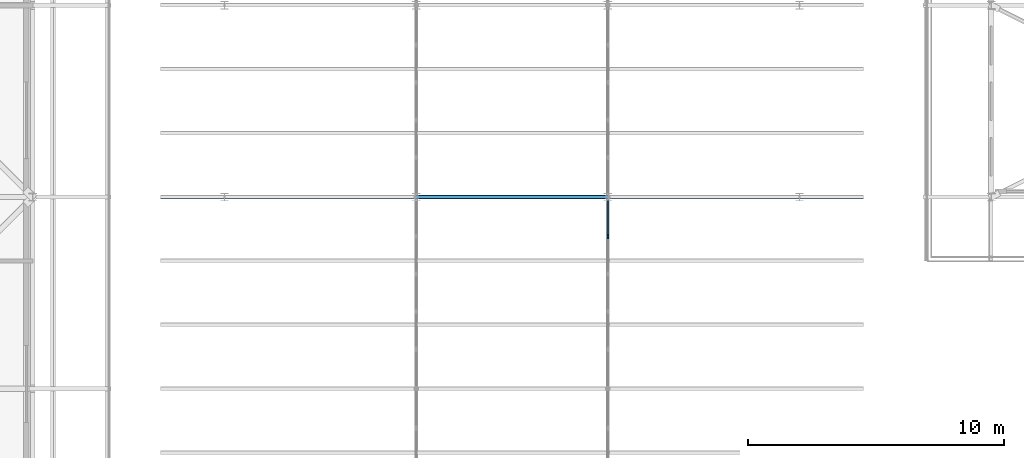
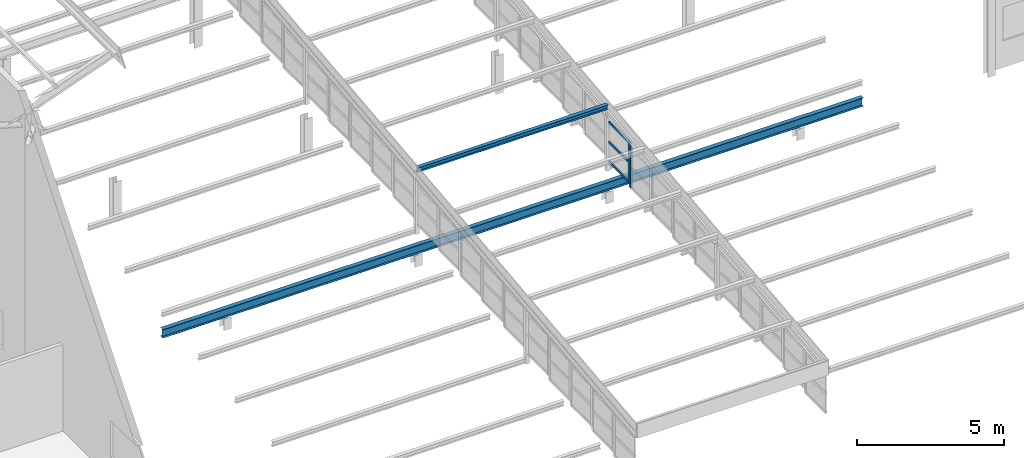
# One storey, part 55 of 483: 6 members, 1 beam, 2 elements without a shape of their own.
"""IFC4 building model written with IfcOpenShell, lengths in metres."""

from ifc_helpers import new_model, si_unit, direction, frame, origin, origin_2d, place, context, subcontext, project, spatial, rectangle, i_section, extrude, material, material_profile, profile_set, type_object, element, aggregate, save


model = new_model("IFC4")

# Units and contexts
model_context = context("Model", 3, precision=1e-05, world=origin(), true_north=direction((0.0, 1.0)))
body_context = subcontext(model_context, "Body", "Model", "MODEL_VIEW")
ifc_project = project(units=[si_unit("LENGTHUNIT", "METRE"), si_unit("AREAUNIT", "SQUARE_METRE"), si_unit("VOLUMEUNIT", "CUBIC_METRE"), si_unit("PLANEANGLEUNIT", "RADIAN"), si_unit("MASSUNIT", "GRAM", prefix="KILO")], contexts=[model_context])

# Site, building, storey
site_placement = place(None, origin())
site = spatial("IfcSite", under=ifc_project, at=site_placement, CompositionType="ELEMENT")
building_placement = place(site_placement, origin())
building = spatial("IfcBuilding", under=site, at=building_placement, Name="Parallax Yard Mobility Hub", CompositionType="ELEMENT")
storey_placement = place(building_placement, frame((0.0, 0.0, 13.199951171875)))
storey = spatial("IfcBuildingStorey", under=building, at=storey_placement, Name="L04", CompositionType="ELEMENT", Elevation=13.199951171875)

# Curtain wall, member
ifc_material_1 = material(Name="Thermally broken aluminium curtain wall system", Category="aluminium")
curtain_wall_type = type_object("IfcCurtainWallType", Name="Clerestory glazing run 60 x 120 frame", PredefinedType="NOTDEFINED", material=ifc_material_1)
curtain_wall_1_placement = place(storey_placement, origin())
curtain_wall_1 = element("IfcCurtainWall", 1, at=curtain_wall_1_placement, inside=storey, type_object=curtain_wall_type, Name="Clerestory glazing run Bicycle and shared-mobility hall roof step 2 bay 2 level L02", PredefinedType="NOTDEFINED")
ifc_material_2 = material(Name="Extruded aluminium", Category="aluminium")
ifc_material_profile_1 = material_profile(ifc_material_2, rectangle(XDim=0.06005859375, YDim=0.1201171875, at=origin_2d()), Name="Mullion 60 x 120")
ifc_profile_set_1 = profile_set([ifc_material_profile_1], Name="Extruded aluminium")
member_type_1 = type_object("IfcMemberType", Name="Mullion 60 x 120", PredefinedType="MULLION", material=ifc_profile_set_1)
member_1_placement = place(storey_placement, frame((165.0, 20.92431640625, 1.511474609375), z_axis=(0.0, 0.0, 1.0), x_axis=(-1.0, 0.0, 0.0)))
member_1 = element("IfcMember", 2, at=member_1_placement, type_object=member_type_1, Name="CW4 mullion 2", PredefinedType="MULLION", context=body_context, shape_type="SweptSolid", body=[
    extrude(rectangle(XDim=0.06005859375, YDim=0.1201171875, at=origin_2d()), origin(), (0.0, 0.0, 1.0), 1.693359375),
])
aggregate(curtain_wall_1, [member_1])

curtain_wall_2_placement = place(storey_placement, origin())
curtain_wall_2 = element("IfcCurtainWall", 3, at=curtain_wall_2_placement, inside=storey, type_object=curtain_wall_type, Name="Clerestory glazing run Bicycle and shared-mobility hall roof step 2 bay 2 level L02", PredefinedType="NOTDEFINED")
member_2_placement = place(storey_placement, frame((165.0, 20.984375, 1.6748046875), z_axis=(0.0, 0.0, 1.0), x_axis=(-1.0, 0.0, 0.0)))
member_2 = element("IfcMember", 4, at=member_2_placement, type_object=member_type_1, Name="CW4 mullion 1", PredefinedType="MULLION", context=body_context, shape_type="SweptSolid", body=[
    extrude(rectangle(XDim=0.06005859375, YDim=0.1201171875, at=origin_2d()), origin(), (0.0, 0.0, 1.0), 1.696533203125),
])

# Beam
ifc_material_3 = material(Name="Steel ASTM A992", Category="steel")
ifc_material_profile_2 = material_profile(ifc_material_3, i_section(OverallWidth=0.1708984375, OverallDepth=0.35498046875, WebThickness=0.007080078125, FlangeThickness=0.01171875, at=origin_2d()), Name="W360x51")
ifc_profile_set_2 = profile_set([ifc_material_profile_2], Name="Steel ASTM A992")
beam_type = type_object("IfcBeamType", Name="Roof girder W360x51", PredefinedType="BEAM", material=ifc_profile_set_2)
beam_placement = place(storey_placement, frame((147.5, 22.5, 0.644287109375), z_axis=(1.0, 0.0, 0.0), x_axis=(0.0, 1.0, 0.0)))
element("IfcBeam", 5, at=beam_placement, inside=storey, type_object=beam_type, Name="Roof girder at y 22.5", PredefinedType="BEAM", context=body_context, shape_type="SweptSolid", body=[
    extrude(i_section(OverallWidth=0.1708984375, OverallDepth=0.35498046875, WebThickness=0.007080078125, FlangeThickness=0.01171875, at=origin_2d()), origin(), (0.0, 0.0, 1.0), 27.5),
])

# Member
ifc_material_profile_3 = material_profile(ifc_material_3, i_section(OverallWidth=0.133056640625, OverallDepth=0.20703125, WebThickness=0.005859375, FlangeThickness=0.00830078125, at=origin_2d()), Name="W200x27")
ifc_profile_set_3 = profile_set([ifc_material_profile_3], Name="Steel ASTM A992")
member_type_2 = type_object("IfcMemberType", Name="Roof purlin W200x27", PredefinedType="PURLIN", material=ifc_profile_set_3)
member_3_placement = place(storey_placement, frame((157.5, 22.511474609375, 3.91943359375), z_axis=(1.0, 0.0, 0.0), x_axis=(0.0, 0.993883718765, 0.110431669255)))
element("IfcMember", 6, at=member_3_placement, inside=storey, type_object=member_type_2, Name="Monitor purlin at y 22.5", PredefinedType="PURLIN", context=body_context, shape_type="SweptSolid", body=[
    extrude(i_section(OverallWidth=0.133056640625, OverallDepth=0.20703125, WebThickness=0.005859375, FlangeThickness=0.00830078125, at=origin_2d()), origin(), (0.0, 0.0, 1.0), 7.5),
])

ifc_material_profile_4 = material_profile(ifc_material_2, rectangle(XDim=0.06005859375, YDim=0.10009765625, at=origin_2d()), Name="Transom 60 x 100")
ifc_profile_set_4 = profile_set([ifc_material_profile_4], Name="Extruded aluminium")
member_type_3 = type_object("IfcMemberType", Name="Transom 60 x 100", PredefinedType="USERDEFINED", material=ifc_profile_set_4)
member_4_placement = place(storey_placement, frame((165.0, 21.014404296875, 1.704833984375), z_axis=(0.0, 1.0, 0.0), x_axis=(-1.0, 0.0, 0.0)))
member_4 = element("IfcMember", 7, at=member_4_placement, type_object=member_type_3, Name="CW4 transom 1.1", ObjectType="TRANSOM", PredefinedType="USERDEFINED", context=body_context, shape_type="SweptSolid", body=[
    extrude(rectangle(XDim=0.06005859375, YDim=0.10009765625, at=origin_2d()), origin(), (0.0, 0.0, 1.0), 1.349365234375),
])

member_5_placement = place(storey_placement, frame((165.0, 21.014404296875, 2.523193359375), z_axis=(0.0, 1.0, 0.0), x_axis=(-1.0, 0.0, 0.0)))
member_5 = element("IfcMember", 8, at=member_5_placement, type_object=member_type_3, Name="CW4 transom 1.2", ObjectType="TRANSOM", PredefinedType="USERDEFINED", context=body_context, shape_type="SweptSolid", body=[
    extrude(rectangle(XDim=0.06005859375, YDim=0.10009765625, at=origin_2d()), origin(), (0.0, 0.0, 1.0), 1.349365234375),
])

member_6_placement = place(storey_placement, frame((165.0, 21.014404296875, 3.341552734375), z_axis=(0.0, 1.0, 0.0), x_axis=(-1.0, 0.0, 0.0)))
member_6 = element("IfcMember", 9, at=member_6_placement, type_object=member_type_3, Name="CW4 transom 1.3", ObjectType="TRANSOM", PredefinedType="USERDEFINED", context=body_context, shape_type="SweptSolid", body=[
    extrude(rectangle(XDim=0.06005859375, YDim=0.10009765625, at=origin_2d()), origin(), (0.0, 0.0, 1.0), 1.349365234375),
])

aggregate(curtain_wall_2, [member_2, member_4, member_5, member_6])

save(model, "model.ifc")
